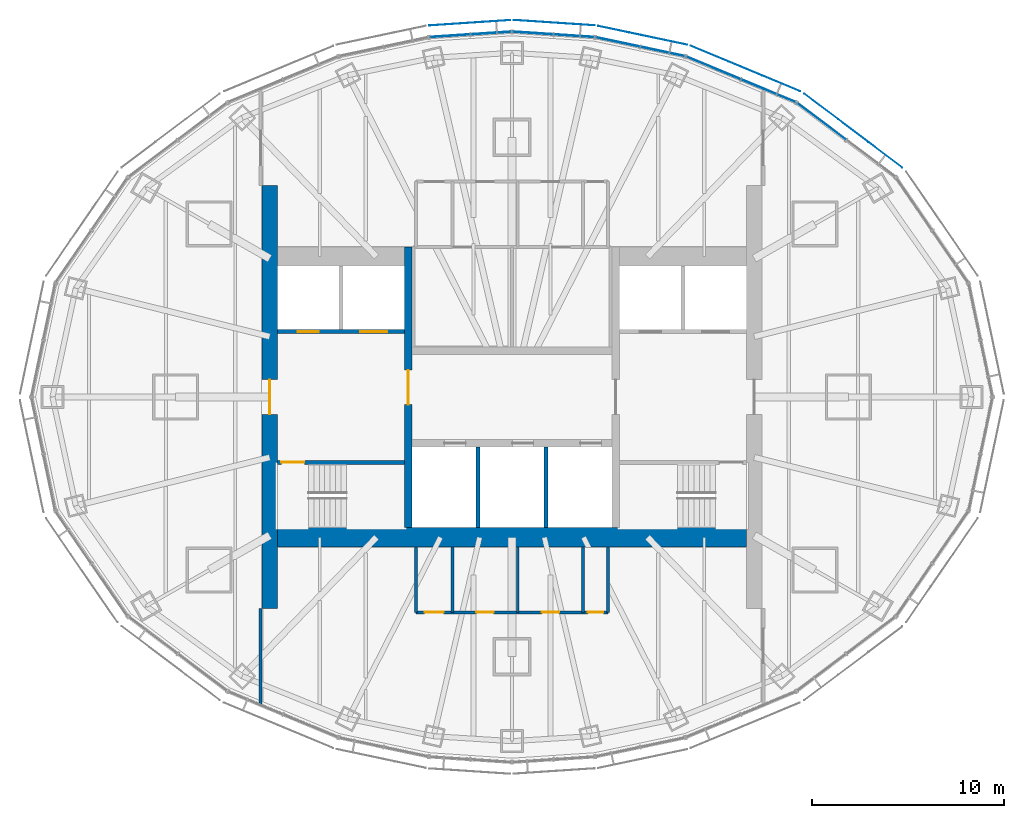
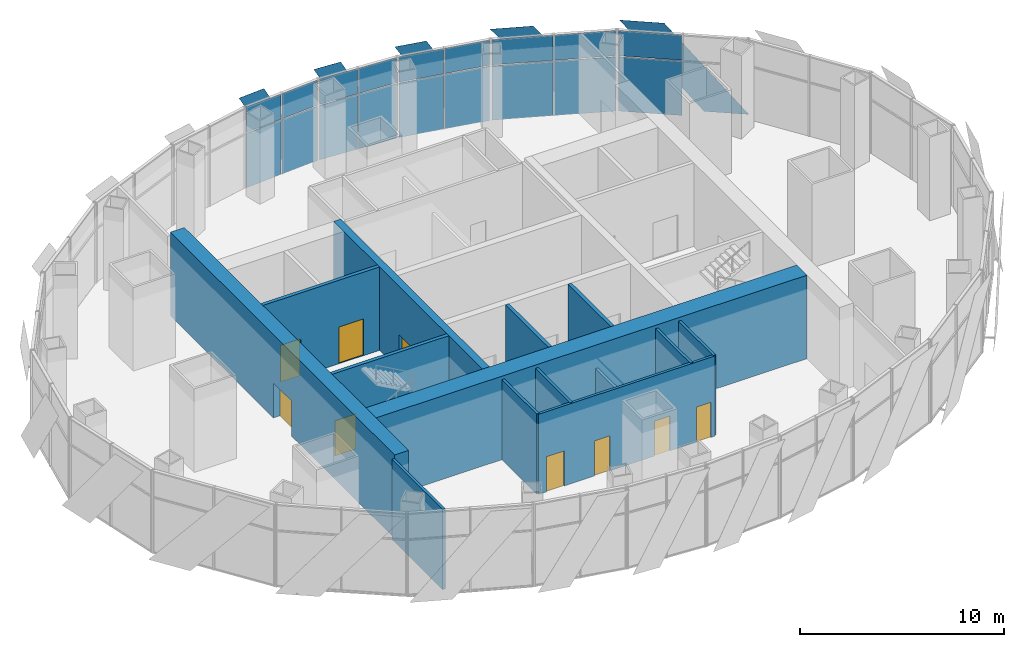
# One storey, part 11 of 17: 23 plates, 14 walls, 9 doors, 9 openings, 5 elements without a shape of their own.
"""IFC4 building model written with IfcOpenShell, lengths in metres."""

from ifc_helpers import new_model, si_unit, direction, frame, frame_2d, origin, origin_2d, place, context, subcontext, project, spatial, polyline, rectangle, outline, extrude, material, layer, layer_set, type_object, element, fill, aggregate, save


model = new_model("IFC4")

# Units and contexts
model_context = context("Model", 3, precision=1e-05, world=origin(), true_north=direction((0.0, 1.0)))
body_context = subcontext(model_context, "Body", "Model", "MODEL_VIEW")
ifc_project = project(units=[si_unit("LENGTHUNIT", "METRE"), si_unit("AREAUNIT", "SQUARE_METRE"), si_unit("VOLUMEUNIT", "CUBIC_METRE"), si_unit("PLANEANGLEUNIT", "RADIAN"), si_unit("MASSUNIT", "GRAM", prefix="KILO")], contexts=[model_context])

# Site, building, storey
site_placement = place(None, origin())
site = spatial("IfcSite", under=ifc_project, at=site_placement, CompositionType="ELEMENT")
building_placement = place(site_placement, origin())
building = spatial("IfcBuilding", under=site, at=building_placement, Name="Lantaw Convention Tower", CompositionType="ELEMENT")
storey_placement = place(building_placement, frame((0.0, 0.0, 279.39990234375)))
storey = spatial("IfcBuildingStorey", under=building, at=storey_placement, Name="L65", CompositionType="ELEMENT", Elevation=279.39990234375)

# Curtain wall, plates
ifc_material_1 = material(Name="Aluminium framed curtain wall", Category="aluminium")
curtain_wall_type = type_object("IfcCurtainWallType", Name="Executive floors curtain wall, pale aluminium", PredefinedType="USERDEFINED", material=ifc_material_1)
curtain_wall_1_placement = place(storey_placement, origin())
curtain_wall_1 = element("IfcCurtainWall", 1, at=curtain_wall_1_placement, inside=storey, type_object=curtain_wall_type, Name="Executive floors curtain wall, pale aluminium L65", ObjectType="UNITISED CURTAIN WALL", PredefinedType="USERDEFINED")
ifc_material_2 = material(Name="Clear insulating glass", Category="glass")
ifc_layer_1 = layer(ifc_material_2, 0.030029296875)
ifc_layer_set_1 = layer_set([ifc_layer_1], Name="CW-T panel 30")
plate_type_1 = type_object("IfcPlateType", Name="CW-T panel 30", PredefinedType="CURTAIN_PANEL", material=ifc_layer_set_1)
plate_1_placement = place(storey_placement, frame((16.103271484375, 14.33203125, -0.080078125), z_axis=(0.0, 0.0, 1.0), x_axis=(-0.799517528732, 0.600642756762, 0.0)))
plate_1 = element("IfcPlate", 2, at=plate_1_placement, type_object=plate_type_1, Name="CW-T panel 2.1", PredefinedType="CURTAIN_PANEL", context=body_context, shape_type="SweptSolid", body=[
    extrude(rectangle(XDim=3.140869140625, YDim=0.030029296875, at=origin_2d()), origin(), (0.0, 0.0, 1.0), 3.2451171875),
])
plate_2_placement = place(storey_placement, frame((16.103271484375, 14.33203125, 3.235107421875), z_axis=(0.0, 0.0, 1.0), x_axis=(-0.799517528732, 0.600642756762, 0.0)))
plate_2 = element("IfcPlate", 3, at=plate_2_placement, type_object=plate_type_1, Name="CW-T panel 2.2", PredefinedType="CURTAIN_PANEL", context=body_context, shape_type="SweptSolid", body=[
    extrude(rectangle(XDim=3.140869140625, YDim=0.030029296875, at=origin_2d()), origin(), (0.0, 0.0, 1.0), 1.4951171875),
])
aggregate(curtain_wall_1, [plate_1, plate_2])

curtain_wall_2_placement = place(storey_placement, origin())
curtain_wall_2 = element("IfcCurtainWall", 4, at=curtain_wall_2_placement, inside=storey, type_object=curtain_wall_type, Name="Executive floors curtain wall, pale aluminium L65", ObjectType="UNITISED CURTAIN WALL", PredefinedType="USERDEFINED")
plate_3_placement = place(storey_placement, frame((13.334716796875, 15.92431640625, -0.080078125), z_axis=(0.0, 0.0, 1.0), x_axis=(-0.923141777124, 0.384459697924, 0.0)))
plate_3 = element("IfcPlate", 5, at=plate_3_placement, type_object=plate_type_1, Name="CW-T panel 1.1", PredefinedType="CURTAIN_PANEL", context=body_context, shape_type="SweptSolid", body=[
    extrude(rectangle(XDim=3.01708984375, YDim=0.030029296875, at=origin_2d()), origin(), (0.0, 0.0, 1.0), 3.2451171875),
])
plate_4_placement = place(storey_placement, frame((13.334716796875, 15.92431640625, 3.235107421875), z_axis=(0.0, 0.0, 1.0), x_axis=(-0.923141777124, 0.384459697924, 0.0)))
plate_4 = element("IfcPlate", 6, at=plate_4_placement, type_object=plate_type_1, Name="CW-T panel 1.2", PredefinedType="CURTAIN_PANEL", context=body_context, shape_type="SweptSolid", body=[
    extrude(rectangle(XDim=3.01708984375, YDim=0.030029296875, at=origin_2d()), origin(), (0.0, 0.0, 1.0), 1.4951171875),
])
plate_5_placement = place(storey_placement, frame((10.48486328125, 17.111083984375, -0.080078125), z_axis=(0.0, 0.0, 1.0), x_axis=(-0.923141777124, 0.384459697924, 0.0)))
plate_5 = element("IfcPlate", 7, at=plate_5_placement, type_object=plate_type_1, Name="CW-T panel 2.1", PredefinedType="CURTAIN_PANEL", context=body_context, shape_type="SweptSolid", body=[
    extrude(rectangle(XDim=3.01708984375, YDim=0.030029296875, at=origin_2d()), origin(), (0.0, 0.0, 1.0), 3.2451171875),
])
plate_6_placement = place(storey_placement, frame((10.48486328125, 17.111083984375, 3.235107421875), z_axis=(0.0, 0.0, 1.0), x_axis=(-0.923141777124, 0.384459697924, 0.0)))
plate_6 = element("IfcPlate", 8, at=plate_6_placement, type_object=plate_type_1, Name="CW-T panel 2.2", PredefinedType="CURTAIN_PANEL", context=body_context, shape_type="SweptSolid", body=[
    extrude(rectangle(XDim=3.01708984375, YDim=0.030029296875, at=origin_2d()), origin(), (0.0, 0.0, 1.0), 1.4951171875),
])
aggregate(curtain_wall_2, [plate_3, plate_4, plate_5, plate_6])

curtain_wall_3_placement = place(storey_placement, origin())
curtain_wall_3 = element("IfcCurtainWall", 9, at=curtain_wall_3_placement, inside=storey, type_object=curtain_wall_type, Name="Executive floors curtain wall, pale aluminium L65", ObjectType="UNITISED CURTAIN WALL", PredefinedType="USERDEFINED")
plate_7_placement = place(storey_placement, frame((7.833740234375, 17.970703125, -0.080078125), z_axis=(0.0, 0.0, 1.0), x_axis=(-0.978332497083, 0.207039911975, 0.0)))
plate_7 = element("IfcPlate", 10, at=plate_7_placement, type_object=plate_type_1, Name="CW-T panel 1.1", PredefinedType="CURTAIN_PANEL", context=body_context, shape_type="SweptSolid", body=[
    extrude(rectangle(XDim=2.30078125, YDim=0.030029296875, at=origin_2d()), origin(), (0.0, 0.0, 1.0), 3.2451171875),
])
plate_8_placement = place(storey_placement, frame((7.833740234375, 17.970703125, 3.235107421875), z_axis=(0.0, 0.0, 1.0), x_axis=(-0.978332497083, 0.207039911975, 0.0)))
plate_8 = element("IfcPlate", 11, at=plate_8_placement, type_object=plate_type_1, Name="CW-T panel 1.2", PredefinedType="CURTAIN_PANEL", context=body_context, shape_type="SweptSolid", body=[
    extrude(rectangle(XDim=2.30078125, YDim=0.030029296875, at=origin_2d()), origin(), (0.0, 0.0, 1.0), 1.4951171875),
])
plate_9_placement = place(storey_placement, frame((5.514404296875, 18.46142578125, -0.080078125), z_axis=(0.0, 0.0, 1.0), x_axis=(-0.978332497083, 0.207039911975, 0.0)))
plate_9 = element("IfcPlate", 12, at=plate_9_placement, type_object=plate_type_1, Name="CW-T panel 2.1", PredefinedType="CURTAIN_PANEL", context=body_context, shape_type="SweptSolid", body=[
    extrude(rectangle(XDim=2.30078125, YDim=0.030029296875, at=origin_2d()), origin(), (0.0, 0.0, 1.0), 3.2451171875),
])
plate_10_placement = place(storey_placement, frame((5.514404296875, 18.46142578125, 3.235107421875), z_axis=(0.0, 0.0, 1.0), x_axis=(-0.978332497083, 0.207039911975, 0.0)))
plate_10 = element("IfcPlate", 13, at=plate_10_placement, type_object=plate_type_1, Name="CW-T panel 2.2", PredefinedType="CURTAIN_PANEL", context=body_context, shape_type="SweptSolid", body=[
    extrude(rectangle(XDim=2.30078125, YDim=0.030029296875, at=origin_2d()), origin(), (0.0, 0.0, 1.0), 1.4951171875),
])
aggregate(curtain_wall_3, [plate_7, plate_8, plate_9, plate_10])

curtain_wall_4_placement = place(storey_placement, origin())
curtain_wall_4 = element("IfcCurtainWall", 14, at=curtain_wall_4_placement, inside=storey, type_object=curtain_wall_type, Name="Executive floors curtain wall, pale aluminium L65", ObjectType="UNITISED CURTAIN WALL", PredefinedType="USERDEFINED")
plate_11_placement = place(storey_placement, frame((3.222900390625, 18.78662109375, -0.080078125), z_axis=(0.0, 0.0, 1.0), x_axis=(-0.997817975525, 0.066024902273, 0.0)))
plate_11 = element("IfcPlate", 15, at=plate_11_placement, type_object=plate_type_1, Name="CW-T panel 1.1", PredefinedType="CURTAIN_PANEL", context=body_context, shape_type="SweptSolid", body=[
    extrude(rectangle(XDim=2.06005859375, YDim=0.030029296875, at=origin_2d()), origin(), (0.0, 0.0, 1.0), 3.2451171875),
])
plate_12_placement = place(storey_placement, frame((3.222900390625, 18.78662109375, 3.235107421875), z_axis=(0.0, 0.0, 1.0), x_axis=(-0.997817975525, 0.066024902273, 0.0)))
plate_12 = element("IfcPlate", 16, at=plate_12_placement, type_object=plate_type_1, Name="CW-T panel 1.2", PredefinedType="CURTAIN_PANEL", context=body_context, shape_type="SweptSolid", body=[
    extrude(rectangle(XDim=2.06005859375, YDim=0.030029296875, at=origin_2d()), origin(), (0.0, 0.0, 1.0), 1.4951171875),
])
plate_13_placement = place(storey_placement, frame((1.09765625, 18.927490234375, -0.080078125), z_axis=(0.0, 0.0, 1.0), x_axis=(-0.997817975525, 0.066024902273, 0.0)))
plate_13 = element("IfcPlate", 17, at=plate_13_placement, type_object=plate_type_1, Name="CW-T panel 2.1", PredefinedType="CURTAIN_PANEL", context=body_context, shape_type="SweptSolid", body=[
    extrude(rectangle(XDim=2.06005859375, YDim=0.030029296875, at=origin_2d()), origin(), (0.0, 0.0, 1.0), 3.2451171875),
])
plate_14_placement = place(storey_placement, frame((1.09765625, 18.927490234375, 3.235107421875), z_axis=(0.0, 0.0, 1.0), x_axis=(-0.997817975525, 0.066024902273, 0.0)))
plate_14 = element("IfcPlate", 18, at=plate_14_placement, type_object=plate_type_1, Name="CW-T panel 2.2", PredefinedType="CURTAIN_PANEL", context=body_context, shape_type="SweptSolid", body=[
    extrude(rectangle(XDim=2.06005859375, YDim=0.030029296875, at=origin_2d()), origin(), (0.0, 0.0, 1.0), 1.4951171875),
])
aggregate(curtain_wall_4, [plate_11, plate_12, plate_13, plate_14])

curtain_wall_5_placement = place(storey_placement, origin())
curtain_wall_5 = element("IfcCurtainWall", 19, at=curtain_wall_5_placement, inside=storey, type_object=curtain_wall_type, Name="Executive floors curtain wall, pale aluminium L65", ObjectType="UNITISED CURTAIN WALL", PredefinedType="USERDEFINED")
plate_15_placement = place(storey_placement, frame((-1.09765625, 18.927490234375, -0.080078125), z_axis=(0.0, 0.0, 1.0), x_axis=(-0.997817975525, -0.066024902273, 0.0)))
plate_15 = element("IfcPlate", 20, at=plate_15_placement, type_object=plate_type_1, Name="CW-T panel 1.1", PredefinedType="CURTAIN_PANEL", context=body_context, shape_type="SweptSolid", body=[
    extrude(rectangle(XDim=2.06005859375, YDim=0.030029296875, at=origin_2d()), origin(), (0.0, 0.0, 1.0), 3.2451171875),
])
plate_16_placement = place(storey_placement, frame((-1.09765625, 18.927490234375, 3.235107421875), z_axis=(0.0, 0.0, 1.0), x_axis=(-0.997817975525, -0.066024902273, 0.0)))
plate_16 = element("IfcPlate", 21, at=plate_16_placement, type_object=plate_type_1, Name="CW-T panel 1.2", PredefinedType="CURTAIN_PANEL", context=body_context, shape_type="SweptSolid", body=[
    extrude(rectangle(XDim=2.06005859375, YDim=0.030029296875, at=origin_2d()), origin(), (0.0, 0.0, 1.0), 1.4951171875),
])
plate_17_placement = place(storey_placement, frame((-3.222900390625, 18.78662109375, -0.080078125), z_axis=(0.0, 0.0, 1.0), x_axis=(-0.997817975525, -0.066024902273, 0.0)))
plate_17 = element("IfcPlate", 22, at=plate_17_placement, type_object=plate_type_1, Name="CW-T panel 2.1", PredefinedType="CURTAIN_PANEL", context=body_context, shape_type="SweptSolid", body=[
    extrude(rectangle(XDim=2.06005859375, YDim=0.030029296875, at=origin_2d()), origin(), (0.0, 0.0, 1.0), 3.2451171875),
])
plate_18_placement = place(storey_placement, frame((-3.222900390625, 18.78662109375, 3.235107421875), z_axis=(0.0, 0.0, 1.0), x_axis=(-0.997817975525, -0.066024902273, 0.0)))
plate_18 = element("IfcPlate", 23, at=plate_18_placement, type_object=plate_type_1, Name="CW-T panel 2.2", PredefinedType="CURTAIN_PANEL", context=body_context, shape_type="SweptSolid", body=[
    extrude(rectangle(XDim=2.06005859375, YDim=0.030029296875, at=origin_2d()), origin(), (0.0, 0.0, 1.0), 1.4951171875),
])
aggregate(curtain_wall_5, [plate_15, plate_16, plate_17, plate_18])

# Plates
ifc_material_3 = material(Name="Perforated aluminium sheet, pale silver finish", Category="aluminium")
ifc_layer_2 = layer(ifc_material_3, 0.006103515625)
ifc_layer_set_2 = layer_set([ifc_layer_2], Name="Perforated aluminium solar SCREEN panel")
plate_type_2 = type_object("IfcPlateType", Name="Perforated aluminium solar SCREEN panel", PredefinedType="SHEET", material=ifc_layer_set_2)
plate_19_placement = place(storey_placement, frame((20.305908203125, 11.932861328125, -0.1748046875), z_axis=(0.600672301802, 0.799495331447, 2.9013508e-05), x_axis=(-0.799495331784, 0.600672302055, 1.283e-09)))
element("IfcPlate", 24, at=plate_19_placement, inside=storey, type_object=plate_type_2, Name="Solar SCREEN panel", PredefinedType="SHEET", context=body_context, shape_type="SweptSolid", body=[
    extrude(outline(polyline([(0.0, 0.0), (2.2071296040750283, 6.776263578034403e-21), (6.391554874574737, 5.1149902283280255), (4.184278621988465, 5.11499023399134), (0.0, 0.0)])), origin(), (0.0, 0.0, -1.0), 0.006103515625),
])
plate_20_placement = place(storey_placement, frame((14.978759765625, 15.89599609375, -0.1748046875), z_axis=(-0.384439817883, -0.923150056253, 8.159286e-06), x_axis=(-0.923150056284, 0.384439817896, -1.8e-10)))
element("IfcPlate", 25, at=plate_20_placement, inside=storey, type_object=plate_type_2, Name="Solar SCREEN panel", PredefinedType="SHEET", context=body_context, shape_type="SweptSolid", body=[
    extrude(outline(polyline([(0.0, 0.0), (2.123103262468179, 0.0), (6.144061851060005, -5.114990235653353), (4.021183967023536, -5.114990234887585), (0.0, 0.0)])), origin(), (0.0, 0.0, -1.0), 0.006103515625),
])
plate_21_placement = place(storey_placement, frame((9.104248046875, 18.321044921875, -0.1748046875), z_axis=(0.207067097355, 0.978326743573, 1.581344e-06), x_axis=(-0.978326743574, 0.207067097355, -1.4e-10)))
element("IfcPlate", 26, at=plate_21_placement, inside=storey, type_object=plate_type_2, Name="Solar SCREEN panel", PredefinedType="SHEET", context=body_context, shape_type="SweptSolid", body=[
    extrude(outline(polyline([(0.0, 0.0), (1.6358254236472698, 0.0), (4.711486581246437, 5.114990235040447), (3.075472861787101, 5.114990234582776), (0.0, 0.0)])), origin(), (0.0, 0.0, -1.0), 0.006103515625),
])
plate_22_placement = place(storey_placement, frame((4.310546875, 19.322021484375, -0.1748046875), z_axis=(-0.066001689442, -0.997819510979, 2.2352799e-05), x_axis=(-0.997819511229, 0.066001689458, 0.0)))
element("IfcPlate", 27, at=plate_22_placement, inside=storey, type_object=plate_type_2, Name="Solar SCREEN panel", PredefinedType="SHEET", context=body_context, shape_type="SweptSolid", body=[
    extrude(outline(polyline([(0.0, 0.0), (1.4722042654949696, 0.0), (4.229933994839303, -5.114990235652846), (2.7577297293443337, -5.114990235652846), (0.0, 0.0)])), origin(), (0.0, 0.0, -1.0), 0.006103515625),
])
plate_23_placement = place(storey_placement, frame((-0.08984375, 19.601318359375, -0.1748046875), z_axis=(-0.066001689442, 0.997819510979, 2.2352799e-05), x_axis=(-0.997819511229, -0.066001689458, 0.0)))
element("IfcPlate", 28, at=plate_23_placement, inside=storey, type_object=plate_type_2, Name="Solar SCREEN panel", PredefinedType="SHEET", context=body_context, shape_type="SweptSolid", body=[
    extrude(outline(polyline([(0.0, 0.0), (1.4722042654949696, 0.0), (4.229933994839303, 5.114990235652846), (2.7577297293443337, 5.114990235652846), (0.0, 0.0)])), origin(), (0.0, 0.0, -1.0), 0.006103515625),
])

# Walls
ifc_material_4 = material(Name="Gypsum board on steel studs, acoustic", Category="steel")
ifc_layer_3 = layer(ifc_material_4, 0.14990234375)
ifc_layer_set_3 = layer_set([ifc_layer_3], Name="Club partition 150")
wall_type_1 = type_object("IfcWallType", Name="Club partition 150", PredefinedType="PARTITIONING", material=ifc_layer_set_3)
wall_1_placement = place(storey_placement, frame((-13.074951171875, -11.0, 0.0), z_axis=(0.0, 0.0, 1.0), x_axis=(0.0, -1.0, 0.0)))
element("IfcWall", 29, at=wall_1_placement, inside=storey, type_object=wall_type_1, Name="Club partition 150", PredefinedType="PARTITIONING", context=body_context, shape_type="SweptSolid", body=[
    extrude(rectangle(XDim=4.974365234375, YDim=0.14990234375, at=frame_2d((2.4873046875, 0.0))), origin(), (0.0, 0.0, 1.0), 4.800048828125),
])
ifc_material_5 = material(Name="Concrete C60/75", Category="concrete")
ifc_layer_4 = layer(ifc_material_5, 1.0)
ifc_layer_set_4 = layer_set([ifc_layer_4], Name="Core wall 1000")
wall_type_2 = type_object("IfcWallType", Name="Core wall 1000", PredefinedType="SHEAR", material=ifc_layer_set_4)
wall_2_placement = place(storey_placement, frame((-12.199951171875, -7.300048828125, 0.0), z_axis=(0.0, 0.0, 1.0), x_axis=(1.0, 0.0, 0.0)))
element("IfcWall", 30, at=wall_2_placement, inside=storey, type_object=wall_type_2, Name="Core wall S", PredefinedType="SHEAR", context=body_context, shape_type="SweptSolid", body=[
    extrude(rectangle(XDim=24.39990234375, YDim=1.0, at=frame_2d((12.199951171875, 0.0))), origin(), (0.0, 0.0, 1.0), 5.0),
])

# Wall, opening, door
ifc_layer_5 = layer(ifc_material_5, 0.199951171875)
ifc_layer_set_5 = layer_set([ifc_layer_5], Name="Core wall 200")
wall_type_3 = type_object("IfcWallType", Name="Core wall 200", PredefinedType="SHEAR", material=ifc_layer_set_5)
wall_3_placement = place(storey_placement, frame((-5.60009765625, -3.39990234375, 0.0), z_axis=(0.0, 0.0, 1.0), x_axis=(-1.0, 0.0, 0.0)))
wall_3 = element("IfcWall", 31, at=wall_3_placement, inside=storey, type_object=wall_type_3, Name="Core wall WS", PredefinedType="SHEAR", context=body_context, shape_type="SweptSolid", body=[
    extrude(rectangle(XDim=6.599853515625, YDim=0.199951171875, at=frame_2d((3.2998046875, 0.0))), origin(), (0.0, 0.0, 1.0), 5.0),
])
opening_1_placement = place(wall_3_placement, frame((5.199951171875, 0.0, 0.0)))
opening_1 = element("IfcOpeningElement", 32, at=opening_1_placement, cuts=wall_3, Name="Opening L65.04", PredefinedType="OPENING", context=body_context, shape_type="SweptSolid", body=[
    extrude(rectangle(XDim=1.199951171875, YDim=2.10009765625, at=frame_2d((0.60009765625, 1.050048828125))), frame((0.0, 0.10986328125, 0.0), z_axis=(0.0, -1.0, 0.0), x_axis=(1.0, 0.0, 0.0)), (0.0, 0.0, 1.0), 0.219970703125),
])
ifc_material_6 = material(Name="Steel, fire rated", Category="steel")
door_type_1 = type_object("IfcDoorType", Name="Stair door FD90", OperationType="SINGLE_SWING_RIGHT", PredefinedType="DOOR", material=ifc_material_6)
door_1_placement = place(opening_1_placement, origin())
door_1 = element("IfcDoor", 33, at=door_1_placement, inside=storey, type_object=door_type_1, Name="Exit stair door", OperationType="SINGLE_SWING_RIGHT", OverallHeight=2.10009765625, OverallWidth=1.199951171875, PredefinedType="DOOR", context=body_context, shape_type="SweptSolid", body=[
    extrude(rectangle(XDim=1.199951171875, YDim=2.10009765625, at=frame_2d((0.60009765625, 1.050048828125))), frame((0.0, 0.02490234375, 0.0), z_axis=(0.0, -1.0, 0.0), x_axis=(1.0, 0.0, 0.0)), (0.0, 0.0, 1.0), 0.050048828125),
])
fill(opening_1, door_1)

ifc_layer_6 = layer(ifc_material_5, 0.39990234375)
ifc_layer_set_6 = layer_set([ifc_layer_6], Name="Core wall 400")
wall_type_4 = type_object("IfcWallType", Name="Core wall 400", PredefinedType="SHEAR", material=ifc_layer_set_6)
wall_4_placement = place(storey_placement, frame((-5.39990234375, 7.800048828125, 0.0), z_axis=(0.0, 0.0, 1.0), x_axis=(0.0, -1.0, 0.0)))
wall_4 = element("IfcWall", 34, at=wall_4_placement, inside=storey, type_object=wall_type_4, Name="Core wall XW", PredefinedType="SHEAR", context=body_context, shape_type="SweptSolid", body=[
    extrude(rectangle(XDim=14.60009765625, YDim=0.39990234375, at=frame_2d((7.300048828125, 0.0))), origin(), (0.0, 0.0, 1.0), 5.0),
])
opening_2_placement = place(wall_4_placement, frame((6.39990234375, 0.0, 0.0)))
opening_2 = element("IfcOpeningElement", 35, at=opening_2_placement, cuts=wall_4, Name="Opening L65.02", PredefinedType="OPENING", context=body_context, shape_type="SweptSolid", body=[
    extrude(rectangle(XDim=1.800048828125, YDim=2.10009765625, at=frame_2d((0.89990234375, 1.050048828125))), frame((0.0, 0.2099609375, 0.0), z_axis=(0.0, -1.0, 0.0), x_axis=(1.0, 0.0, 0.0)), (0.0, 0.0, 1.0), 0.419921875),
])
door_type_2 = type_object("IfcDoorType", Name="Lobby double door FD90", OperationType="DOUBLE_DOOR_DOUBLE_SWING", PredefinedType="DOOR", material=ifc_material_6)
door_2_placement = place(opening_2_placement, origin())
door_2 = element("IfcDoor", 36, at=door_2_placement, inside=storey, type_object=door_type_2, Name="Lift lobby door", OperationType="DOUBLE_DOOR_DOUBLE_SWING", OverallHeight=2.10009765625, OverallWidth=1.800048828125, PredefinedType="DOOR", context=body_context, shape_type="SweptSolid", body=[
    extrude(rectangle(XDim=1.800048828125, YDim=2.10009765625, at=frame_2d((0.89990234375, 1.050048828125))), frame((0.0, 0.02490234375, 0.0), z_axis=(0.0, -1.0, 0.0), x_axis=(1.0, 0.0, 0.0)), (0.0, 0.0, 1.0), 0.050048828125),
])
fill(opening_2, door_2)

ifc_layer_7 = layer(ifc_material_5, 0.800048828125)
ifc_layer_set_7 = layer_set([ifc_layer_7], Name="Core wall 800")
wall_type_5 = type_object("IfcWallType", Name="Core wall 800", PredefinedType="SHEAR", material=ifc_layer_set_7)
wall_5_placement = place(storey_placement, frame((-12.60009765625, 11.0, 0.0), z_axis=(0.0, 0.0, 1.0), x_axis=(0.0, -1.0, 0.0)))
wall_5 = element("IfcWall", 37, at=wall_5_placement, inside=storey, type_object=wall_type_5, Name="Core wall W", PredefinedType="SHEAR", context=body_context, shape_type="SweptSolid", body=[
    extrude(rectangle(XDim=22.0, YDim=0.800048828125, at=frame_2d((11.0, 0.0))), origin(), (0.0, 0.0, 1.0), 5.0),
])
opening_3_placement = place(wall_5_placement, frame((10.10009765625, 0.0, 0.0)))
opening_3 = element("IfcOpeningElement", 38, at=opening_3_placement, cuts=wall_5, Name="Opening L65.06", PredefinedType="OPENING", context=body_context, shape_type="SweptSolid", body=[
    extrude(rectangle(XDim=1.800048828125, YDim=2.10009765625, at=frame_2d((0.89990234375, 1.050048828125))), frame((0.0, 0.409912109375, 0.0), z_axis=(0.0, -1.0, 0.0), x_axis=(1.0, 0.0, 0.0)), (0.0, 0.0, 1.0), 0.820068359375),
])
door_3_placement = place(opening_3_placement, origin())
door_3 = element("IfcDoor", 39, at=door_3_placement, inside=storey, type_object=door_type_2, Name="Firefighting lobby door", OperationType="DOUBLE_DOOR_DOUBLE_SWING", OverallHeight=2.10009765625, OverallWidth=1.800048828125, PredefinedType="DOOR", context=body_context, shape_type="SweptSolid", body=[
    extrude(rectangle(XDim=1.800048828125, YDim=2.10009765625, at=frame_2d((0.89990234375, 1.050048828125))), frame((0.0, 0.02490234375, 0.0), z_axis=(0.0, -1.0, 0.0), x_axis=(1.0, 0.0, 0.0)), (0.0, 0.0, 1.0), 0.050048828125),
])
fill(opening_3, door_3)

# Wall, openings, doors
ifc_material_7 = material(Name="Concrete blockwork, fire rated", Category="masonry")
ifc_layer_8 = layer(ifc_material_7, 0.199951171875)
ifc_layer_set_8 = layer_set([ifc_layer_8], Name="Shaft wall 200")
wall_type_6 = type_object("IfcWallType", Name="Shaft wall 200", PredefinedType="SOLIDWALL", material=ifc_layer_set_8)
wall_6_placement = place(storey_placement, frame((-12.199951171875, 3.39990234375, 0.0), z_axis=(0.0, 0.0, 1.0), x_axis=(1.0, 0.0, 0.0)))
wall_6 = element("IfcWall", 40, at=wall_6_placement, inside=storey, type_object=wall_type_6, Name="Shaft wall WN", PredefinedType="SOLIDWALL", context=body_context, shape_type="SweptSolid", body=[
    extrude(rectangle(XDim=6.599853515625, YDim=0.199951171875, at=frame_2d((3.2998046875, 0.0))), origin(), (0.0, 0.0, 1.0), 5.0),
])
opening_4_placement = place(wall_6_placement, frame((1.050048828125, 0.0, 0.0)))
opening_4 = element("IfcOpeningElement", 41, at=opening_4_placement, cuts=wall_6, Name="Opening L65.10", PredefinedType="OPENING", context=body_context, shape_type="SweptSolid", body=[
    extrude(rectangle(XDim=1.10009765625, YDim=2.199951171875, at=frame_2d((0.550048828125, 1.10009765625))), frame((0.0, 0.10986328125, 0.0), z_axis=(0.0, -1.0, 0.0), x_axis=(1.0, 0.0, 0.0)), (0.0, 0.0, 1.0), 0.219970703125),
])
opening_5_placement = place(wall_6_placement, frame((4.300048828125, 0.0, 0.0)))
opening_5 = element("IfcOpeningElement", 42, at=opening_5_placement, cuts=wall_6, Name="Opening L65.11", PredefinedType="OPENING", context=body_context, shape_type="SweptSolid", body=[
    extrude(rectangle(XDim=1.39990234375, YDim=2.199951171875, at=frame_2d((0.699951171875, 1.10009765625))), frame((0.0, 0.10986328125, 0.0), z_axis=(0.0, -1.0, 0.0), x_axis=(1.0, 0.0, 0.0)), (0.0, 0.0, 1.0), 0.219970703125),
])
ifc_material_8 = material(Name="Stainless steel", Category="steel")
door_type_3 = type_object("IfcDoorType", Name="Lift landing door 1100", OperationType="DOUBLE_DOOR_SLIDING", PredefinedType="DOOR", material=ifc_material_8)
door_4_placement = place(opening_4_placement, origin())
door_4 = element("IfcDoor", 43, at=door_4_placement, inside=storey, type_object=door_type_3, Name="Lift landing door FF1", OperationType="DOUBLE_DOOR_SLIDING", OverallHeight=2.199951171875, OverallWidth=1.10009765625, PredefinedType="DOOR", context=body_context, shape_type="SweptSolid", body=[
    extrude(rectangle(XDim=1.10009765625, YDim=2.199951171875, at=frame_2d((0.550048828125, 1.10009765625))), frame((0.0, 0.02490234375, 0.0), z_axis=(0.0, -1.0, 0.0), x_axis=(1.0, 0.0, 0.0)), (0.0, 0.0, 1.0), 0.050048828125),
])
fill(opening_4, door_4)
door_type_4 = type_object("IfcDoorType", Name="Lift landing door 1400", OperationType="DOUBLE_DOOR_SLIDING", PredefinedType="DOOR", material=ifc_material_8)
door_5_placement = place(opening_5_placement, origin())
door_5 = element("IfcDoor", 44, at=door_5_placement, inside=storey, type_object=door_type_4, Name="Lift landing door SV1", OperationType="DOUBLE_DOOR_SLIDING", OverallHeight=2.199951171875, OverallWidth=1.39990234375, PredefinedType="DOOR", context=body_context, shape_type="SweptSolid", body=[
    extrude(rectangle(XDim=1.39990234375, YDim=2.199951171875, at=frame_2d((0.699951171875, 1.10009765625))), frame((0.0, 0.02490234375, 0.0), z_axis=(0.0, -1.0, 0.0), x_axis=(1.0, 0.0, 0.0)), (0.0, 0.0, 1.0), 0.050048828125),
])
fill(opening_5, door_5)

# Walls
ifc_layer_9 = layer(ifc_material_7, 0.199951171875)
ifc_layer_set_9 = layer_set([ifc_layer_9], Name="Shaft wall 200 load-bearing")
wall_type_7 = type_object("IfcWallType", Name="Shaft wall 200 load-bearing", PredefinedType="SOLIDWALL", material=ifc_layer_set_9)
for number, where, z_axis, x_axis, name in (
    (45, (-1.7666015625, -2.60009765625, 0.0), (0.0, 0.0, 1.0), (0.0, -1.0, 0.0), "Shaft wall DS1"),
    (46, (1.7666015625, -2.60009765625, 0.0), (0.0, 0.0, 1.0), (0.0, -1.0, 0.0), "Shaft wall DS2"),
):
    element("IfcWall", number, at=place(storey_placement, frame(where, z_axis=z_axis, x_axis=x_axis)), inside=storey, type_object=wall_type_7, Name=name, PredefinedType="SOLIDWALL", context=body_context, shape_type="SweptSolid", body=[
        extrude(rectangle(XDim=4.199951171875, YDim=0.199951171875, at=frame_2d((2.10009765625, 0.0))), origin(), (0.0, 0.0, 1.0), 5.0),
    ])

# Wall, openings, doors
ifc_material_9 = material(Name="Concrete blockwork", Category="masonry")
ifc_layer_10 = layer(ifc_material_9, 0.14990234375)
ifc_layer_set_10 = layer_set([ifc_layer_10], Name="WC wall 150")
wall_type_8 = type_object("IfcWallType", Name="WC wall 150", PredefinedType="SOLIDWALL", material=ifc_layer_set_10)
wall_7_placement = place(storey_placement, frame((-5.0, -11.199951171875, 0.0), z_axis=(0.0, 0.0, 1.0), x_axis=(1.0, 0.0, 0.0)))
wall_7 = element("IfcWall", 47, at=wall_7_placement, inside=storey, type_object=wall_type_8, Name="WC wall 150", PredefinedType="SOLIDWALL", context=body_context, shape_type="SweptSolid", body=[
    extrude(rectangle(XDim=10.0, YDim=0.14990234375, at=frame_2d((5.0, 0.0))), origin(), (0.0, 0.0, 1.0), 4.800048828125),
])
opening_6_placement = place(wall_7_placement, frame((0.449951171875, 0.0, 0.0)))
opening_6 = element("IfcOpeningElement", 48, at=opening_6_placement, cuts=wall_7, Name="Opening L65.18", PredefinedType="OPENING", context=body_context, shape_type="SweptSolid", body=[
    extrude(rectangle(XDim=1.0, YDim=2.10009765625, at=frame_2d((0.5, 1.050048828125))), frame((0.0, 0.0849609375, 0.0), z_axis=(0.0, -1.0, 0.0), x_axis=(1.0, 0.0, 0.0)), (0.0, 0.0, 1.0), 0.169921875),
])
opening_7_placement = place(wall_7_placement, frame((3.14990234375, 0.0, 0.0)))
opening_7 = element("IfcOpeningElement", 49, at=opening_7_placement, cuts=wall_7, Name="Opening L65.19", PredefinedType="OPENING", context=body_context, shape_type="SweptSolid", body=[
    extrude(rectangle(XDim=0.89990234375, YDim=2.10009765625, at=frame_2d((0.449951171875, 1.050048828125))), frame((0.0, 0.0849609375, 0.0), z_axis=(0.0, -1.0, 0.0), x_axis=(1.0, 0.0, 0.0)), (0.0, 0.0, 1.0), 0.169921875),
])
opening_8_placement = place(wall_7_placement, frame((6.550048828125, 0.0, 0.0)))
opening_8 = element("IfcOpeningElement", 50, at=opening_8_placement, cuts=wall_7, Name="Opening L65.20", PredefinedType="OPENING", context=body_context, shape_type="SweptSolid", body=[
    extrude(rectangle(XDim=0.89990234375, YDim=2.10009765625, at=frame_2d((0.449951171875, 1.050048828125))), frame((0.0, 0.0849609375, 0.0), z_axis=(0.0, -1.0, 0.0), x_axis=(1.0, 0.0, 0.0)), (0.0, 0.0, 1.0), 0.169921875),
])
opening_9_placement = place(wall_7_placement, frame((8.949951171875, 0.0, 0.0)))
opening_9 = element("IfcOpeningElement", 51, at=opening_9_placement, cuts=wall_7, Name="Opening L65.21", PredefinedType="OPENING", context=body_context, shape_type="SweptSolid", body=[
    extrude(rectangle(XDim=0.800048828125, YDim=2.10009765625, at=frame_2d((0.39990234375, 1.050048828125))), frame((0.0, 0.0849609375, 0.0), z_axis=(0.0, -1.0, 0.0), x_axis=(1.0, 0.0, 0.0)), (0.0, 0.0, 1.0), 0.169921875),
])
ifc_material_10 = material(Name="Timber", Category="wood")
door_type_5 = type_object("IfcDoorType", Name="Accessible WC door 1000", OperationType="SINGLE_SWING_LEFT", PredefinedType="DOOR", material=ifc_material_10)
door_6_placement = place(opening_6_placement, origin())
door_6 = element("IfcDoor", 52, at=door_6_placement, inside=storey, type_object=door_type_5, Name="Accessible WC door", OperationType="SINGLE_SWING_LEFT", OverallHeight=2.10009765625, OverallWidth=1.0, PredefinedType="DOOR", context=body_context, shape_type="SweptSolid", body=[
    extrude(rectangle(XDim=1.0, YDim=2.10009765625, at=frame_2d((0.5, 1.050048828125))), frame((0.0, 0.02490234375, 0.0), z_axis=(0.0, -1.0, 0.0), x_axis=(1.0, 0.0, 0.0)), (0.0, 0.0, 1.0), 0.050048828125),
])
fill(opening_6, door_6)
door_type_6 = type_object("IfcDoorType", Name="WC door 800", OperationType="SINGLE_SWING_LEFT", PredefinedType="DOOR", material=ifc_material_10)
door_7_placement = place(opening_9_placement, origin())
door_7 = element("IfcDoor", 53, at=door_7_placement, inside=storey, type_object=door_type_6, Name="Pantry door", OperationType="SINGLE_SWING_LEFT", OverallHeight=2.10009765625, OverallWidth=0.800048828125, PredefinedType="DOOR", context=body_context, shape_type="SweptSolid", body=[
    extrude(rectangle(XDim=0.800048828125, YDim=2.10009765625, at=frame_2d((0.39990234375, 1.050048828125))), frame((0.0, 0.02490234375, 0.0), z_axis=(0.0, -1.0, 0.0), x_axis=(1.0, 0.0, 0.0)), (0.0, 0.0, 1.0), 0.050048828125),
])
fill(opening_9, door_7)
door_type_7 = type_object("IfcDoorType", Name="WC door 900", OperationType="SINGLE_SWING_LEFT", PredefinedType="DOOR", material=ifc_material_10)
door_8_placement = place(opening_7_placement, origin())
door_8 = element("IfcDoor", 54, at=door_8_placement, inside=storey, type_object=door_type_7, Name="Male WC door", OperationType="SINGLE_SWING_LEFT", OverallHeight=2.10009765625, OverallWidth=0.89990234375, PredefinedType="DOOR", context=body_context, shape_type="SweptSolid", body=[
    extrude(rectangle(XDim=0.89990234375, YDim=2.10009765625, at=frame_2d((0.449951171875, 1.050048828125))), frame((0.0, 0.02490234375, 0.0), z_axis=(0.0, -1.0, 0.0), x_axis=(1.0, 0.0, 0.0)), (0.0, 0.0, 1.0), 0.050048828125),
])
fill(opening_7, door_8)
door_9_placement = place(opening_8_placement, origin())
door_9 = element("IfcDoor", 55, at=door_9_placement, inside=storey, type_object=door_type_7, Name="Female WC door", OperationType="SINGLE_SWING_LEFT", OverallHeight=2.10009765625, OverallWidth=0.89990234375, PredefinedType="DOOR", context=body_context, shape_type="SweptSolid", body=[
    extrude(rectangle(XDim=0.89990234375, YDim=2.10009765625, at=frame_2d((0.449951171875, 1.050048828125))), frame((0.0, 0.02490234375, 0.0), z_axis=(0.0, -1.0, 0.0), x_axis=(1.0, 0.0, 0.0)), (0.0, 0.0, 1.0), 0.050048828125),
])
fill(opening_8, door_9)

# Walls
for number, where, z_axis, x_axis, name in (
    (56, (-5.0, -7.800048828125, 0.0), (0.0, 0.0, 1.0), (0.0, -1.0, 0.0), "WC wall 150"),
    (57, (5.0, -7.800048828125, 0.0), (0.0, 0.0, 1.0), (0.0, -1.0, 0.0), "WC wall 150"),
    (58, (-3.10009765625, -7.800048828125, 0.0), (0.0, 0.0, 1.0), (0.0, -1.0, 0.0), "WC wall 150"),
):
    element("IfcWall", number, at=place(storey_placement, frame(where, z_axis=z_axis, x_axis=x_axis)), inside=storey, type_object=wall_type_8, Name=name, PredefinedType="SOLIDWALL", context=body_context, shape_type="SweptSolid", body=[
        extrude(rectangle(XDim=3.39990234375, YDim=0.14990234375, at=frame_2d((1.699951171875, 0.0))), origin(), (0.0, 0.0, 1.0), 4.800048828125),
    ])
wall_8_placement = place(storey_placement, frame((0.300048828125, -7.800048828125, 0.0), z_axis=(0.0, 0.0, 1.0), x_axis=(0.0, -1.0, 0.0)))
element("IfcWall", 59, at=wall_8_placement, inside=storey, type_object=wall_type_8, Name="WC wall 150", PredefinedType="SOLIDWALL", context=body_context, shape_type="SweptSolid", body=[
    extrude(rectangle(XDim=3.39990234375, YDim=0.14990234375, at=frame_2d((1.699951171875, 0.0))), origin(), (0.0, 0.0, 1.0), 3.60009765625),
])
wall_9_placement = place(storey_placement, frame((3.699951171875, -7.800048828125, 0.0), z_axis=(0.0, 0.0, 1.0), x_axis=(0.0, -1.0, 0.0)))
element("IfcWall", 60, at=wall_9_placement, inside=storey, type_object=wall_type_8, Name="WC wall 150", PredefinedType="SOLIDWALL", context=body_context, shape_type="SweptSolid", body=[
    extrude(rectangle(XDim=3.39990234375, YDim=0.14990234375, at=frame_2d((1.699951171875, 0.0))), origin(), (0.0, 0.0, 1.0), 4.800048828125),
])

save(model, "model.ifc")
